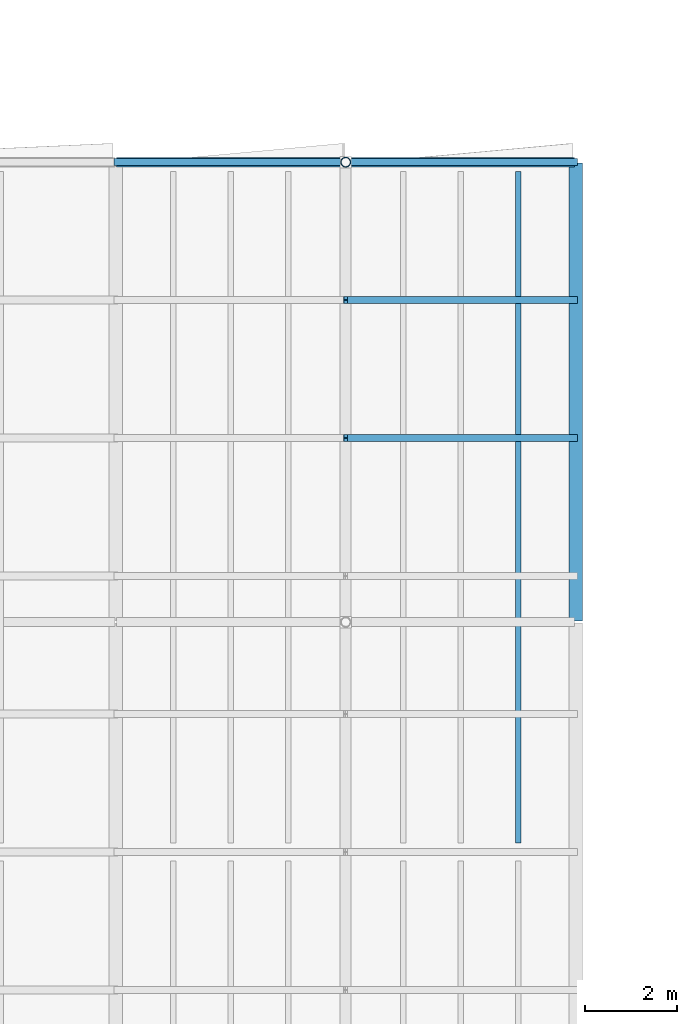
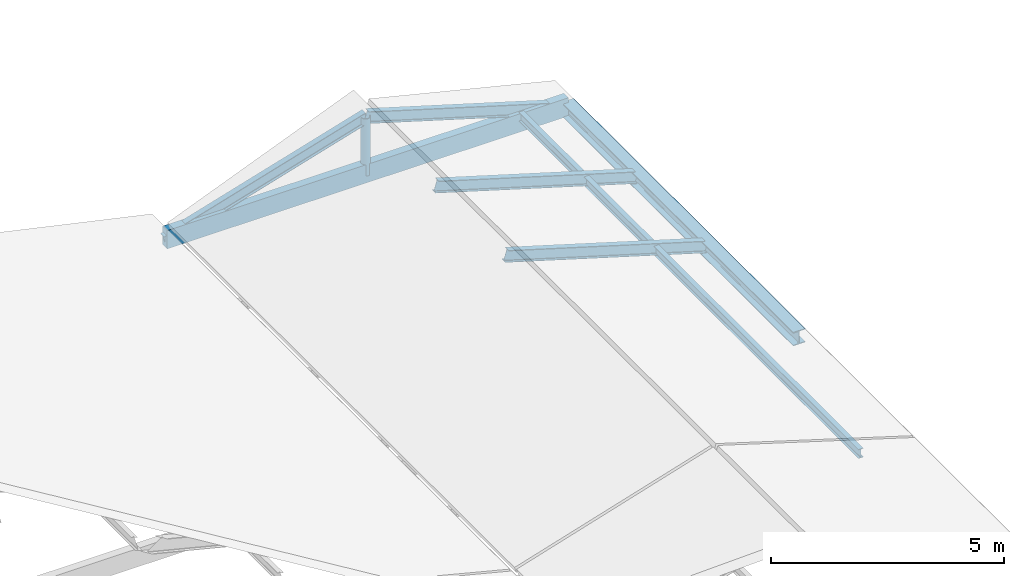
# One storey, part 8 of 90: 6 members, 2 beams.
"""IFC4 building model written with IfcOpenShell, lengths in metres."""

from ifc_helpers import new_model, si_unit, direction, frame, origin, origin_2d, place, context, subcontext, project, spatial, rectangle, hollow_circle, i_section, extrude, material, material_profile, profile_set, type_object, element, save


model = new_model("IFC4")

# Units and contexts
model_context = context("Model", 3, precision=1e-05, world=origin(), true_north=direction((0.0, 1.0)))
body_context = subcontext(model_context, "Body", "Model", "MODEL_VIEW")
ifc_project = project(units=[si_unit("LENGTHUNIT", "METRE"), si_unit("AREAUNIT", "SQUARE_METRE"), si_unit("VOLUMEUNIT", "CUBIC_METRE"), si_unit("PLANEANGLEUNIT", "RADIAN"), si_unit("MASSUNIT", "GRAM", prefix="KILO"), si_unit("THERMODYNAMICTEMPERATUREUNIT", "KELVIN"), si_unit("POWERUNIT", "WATT")], contexts=[model_context])

# Site, building, storey
site_placement = place(None, origin())
site = spatial("IfcSite", under=ifc_project, at=site_placement, CompositionType="ELEMENT")
building_placement = place(site_placement, origin())
building = spatial("IfcBuilding", under=site, at=building_placement, Name="Korenveer Ferry Terminal", CompositionType="ELEMENT")
storey_placement = place(building_placement, frame((0.0, 0.0, 22.199951171875)))
storey = spatial("IfcBuildingStorey", under=building, at=storey_placement, Name="RF", CompositionType="ELEMENT", Elevation=22.199951171875)

# Beam
ifc_material_1 = material(Name="Steel S355", Category="steel")
ifc_material_profile_1 = material_profile(ifc_material_1, i_section(OverallWidth=0.300048828125, OverallDepth=0.360107421875, WebThickness=0.012451171875, FlangeThickness=0.0224609375, FilletRadius=0.027099609375, at=origin_2d()), Name="HEB 360")
ifc_profile_set_1 = profile_set([ifc_material_profile_1], Name="Steel S355")
beam_type_1 = type_object("IfcBeamType", Name="STR-BM-HEB360", PredefinedType="BEAM", material=ifc_profile_set_1)
beam_1_placement = place(storey_placement, frame((30.0, 50.02001953125, 0.179931640625), z_axis=(0.0, 1.0, 0.0), x_axis=(-1.0, 0.0, 0.0)))
element("IfcBeam", 1, at=beam_1_placement, inside=storey, type_object=beam_type_1, Name="Wing eave beam WESTL4E 185", PredefinedType="BEAM", context=body_context, shape_type="SweptSolid", body=[
    extrude(i_section(OverallWidth=0.300048828125, OverallDepth=0.360107421875, WebThickness=0.012451171875, FlangeThickness=0.0224609375, FilletRadius=0.027099609375, at=origin_2d()), origin(), (0.0, 0.0, 1.0), 9.9599609375),
])

# Members
ifc_material_profile_2 = material_profile(ifc_material_1, i_section(OverallWidth=0.1201171875, OverallDepth=0.239990234375, WebThickness=0.006103515625, FlangeThickness=0.009765625, FilletRadius=0.014892578125, at=origin_2d()), Name="IPE 240")
ifc_profile_set_2 = profile_set([ifc_material_profile_2], Name="Steel S355")
member_type_1 = type_object("IfcMemberType", Name="STR-PUR-IPE240", PredefinedType="PURLIN", material=ifc_profile_set_2)
member_1_placement = place(storey_placement, frame((28.75, 45.199951171875, 0.4951171875), z_axis=(0.0, 1.0, 0.0), x_axis=(-1.0, 0.0, 0.0)))
element("IfcMember", 2, at=member_1_placement, inside=storey, type_object=member_type_1, Name="Pitched wing roof steel purlin 300", PredefinedType="PURLIN", context=body_context, shape_type="SweptSolid", body=[
    extrude(i_section(OverallWidth=0.1201171875, OverallDepth=0.239990234375, WebThickness=0.006103515625, FlangeThickness=0.009765625, FilletRadius=0.014892578125, at=origin_2d()), origin(), (0.0, 0.0, 1.0), 14.60009765625),
])
ifc_material_profile_3 = material_profile(ifc_material_1, i_section(OverallWidth=0.14990234375, OverallDepth=0.300048828125, WebThickness=0.007080078125, FlangeThickness=0.0107421875, FilletRadius=0.014892578125, at=origin_2d()), Name="IPE 300")
ifc_profile_set_3 = profile_set([ifc_material_profile_3], Name="Steel S355")
member_type_2 = type_object("IfcMemberType", Name="STR-RAF-IPE300", PredefinedType="RAFTER", material=ifc_profile_set_3)
for number, where, z_axis, x_axis, name in (
    (3, (25.0, 54.0, 1.679931640625), (0.957826285221, 0.0, -0.287347885566), (0.0, 1.0, 0.0), "Pitched roof rafter 124"),
    (4, (25.0, 57.0, 1.679931640625), (0.957826285221, 0.0, -0.287347885566), (0.0, 1.0, 0.0), "Pitched roof rafter 126"),
    (5, (20.0, 60.0, 0.179931640625), (0.957826285221, 0.0, 0.287347885566), (0.0, 1.0, 0.0), "Pitched roof rafter 127"),
    (6, (25.0, 60.0, 1.679931640625), (0.957826285221, 0.0, -0.287347885566), (0.0, 1.0, 0.0), "Pitched roof rafter 128"),
):
    element("IfcMember", number, at=place(storey_placement, frame(where, z_axis=z_axis, x_axis=x_axis)), inside=storey, type_object=member_type_2, Name=name, PredefinedType="RAFTER", context=body_context, shape_type="SweptSolid", body=[
        extrude(i_section(OverallWidth=0.14990234375, OverallDepth=0.300048828125, WebThickness=0.007080078125, FlangeThickness=0.0107421875, FilletRadius=0.014892578125, at=origin_2d()), origin(), (0.0, 0.0, 1.0), 5.22021484375),
    ])

# Beam
ifc_material_2 = material(Name="Glulam GL28h", Category="wood")
ifc_material_profile_4 = material_profile(ifc_material_2, rectangle(XDim=0.199951171875, YDim=0.47998046875, at=origin_2d()), Name="GL 200x480")
ifc_profile_set_4 = profile_set([ifc_material_profile_4], Name="Glulam GL28h")
beam_type_2 = type_object("IfcBeamType", Name="STR-RFG-GL200", PredefinedType="USERDEFINED", material=ifc_profile_set_4)
beam_2_placement = place(storey_placement, frame((20.02001953125, 60.0, 0.239990234375), z_axis=(1.0, 0.0, 0.0), x_axis=(0.0, 1.0, 0.0)))
element("IfcBeam", 7, at=beam_2_placement, inside=storey, type_object=beam_type_2, Name="Wing roof collar tie WESTL4E 190", ObjectType="ROOF GIRDER", PredefinedType="USERDEFINED", context=body_context, shape_type="SweptSolid", body=[
    extrude(rectangle(XDim=0.199951171875, YDim=0.47998046875, at=origin_2d()), origin(), (0.0, 0.0, 1.0), 9.9599609375),
])

# Member
ifc_material_profile_5 = material_profile(ifc_material_1, hollow_circle(Radius=0.109619140625, WallThickness=0.012451171875, at=origin_2d()), Name="CHS 219.1x12.5")
ifc_profile_set_5 = profile_set([ifc_material_profile_5], Name="Steel S355")
member_type_3 = type_object("IfcMemberType", Name="STR-STT-CHS219", PredefinedType="STRUT", material=ifc_profile_set_5)
member_2_placement = place(storey_placement, frame((25.0, 60.0, 0.179931640625), z_axis=(0.0, 0.0, 1.0), x_axis=(1.0, 0.0, 0.0)))
element("IfcMember", 8, at=member_2_placement, inside=storey, type_object=member_type_3, Name="Wing ridge strut STTWR-WESTL4E-Y60", PredefinedType="STRUT", context=body_context, shape_type="SweptSolid", body=[
    extrude(hollow_circle(Radius=0.109619140625, WallThickness=0.012451171875, at=origin_2d()), origin(), (0.0, 0.0, 1.0), 1.5),
])

save(model, "model.ifc")
